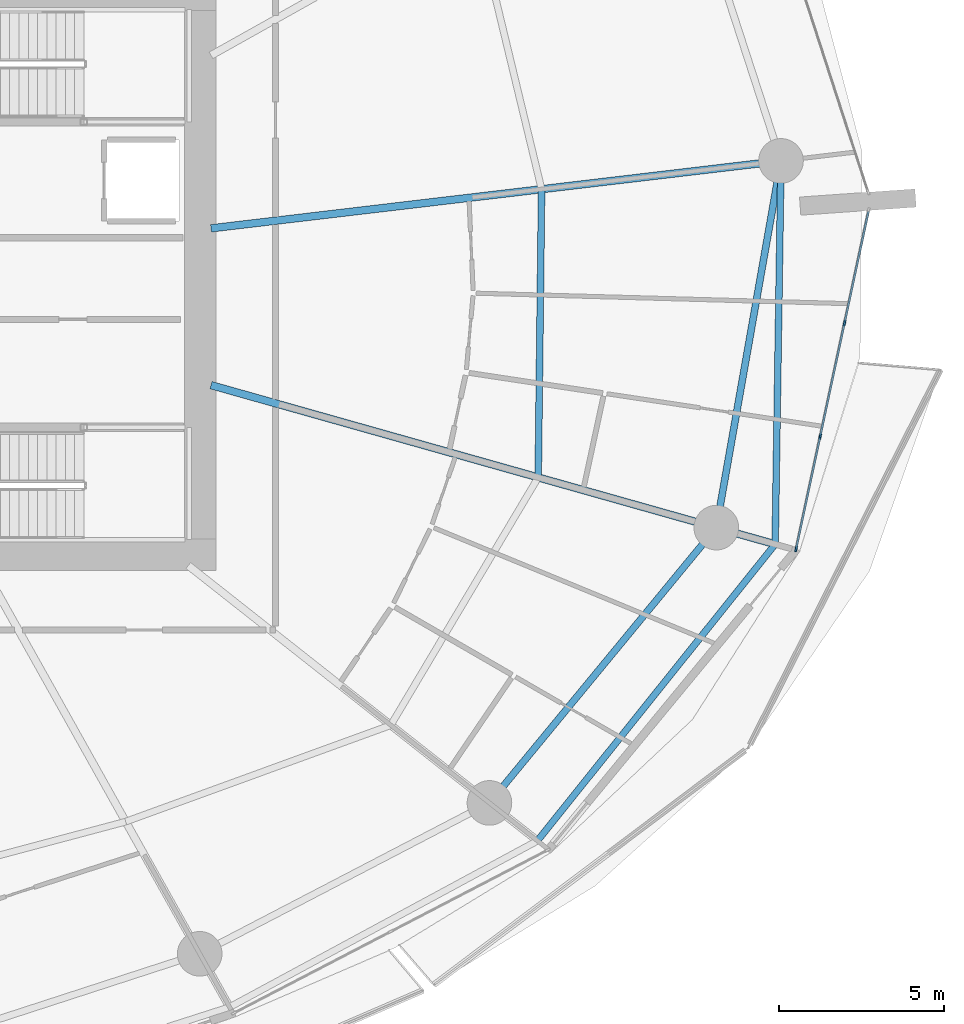
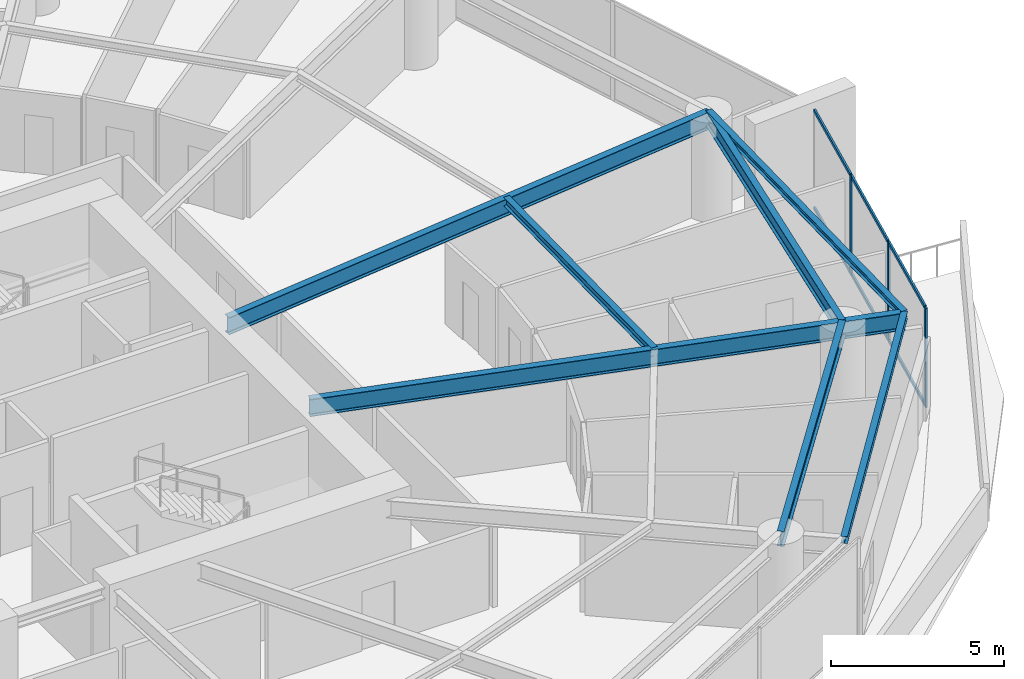
# One storey, part 11 of 31: 9 members, 7 beams, 1 element without a shape of its own.
"""IFC4 building model written with IfcOpenShell, lengths in metres."""

import ifcopenshell
import ifcopenshell.guid

model = None  # the IFC model being written
_history = None  # IfcOwnerHistory: only IFC2X3 demands one
_inside = {}  # id of a spatial element -> (the spatial element, [elements in it])
_under = {}  # id of a project, library or spatial element -> (it, [spatial elements below it])
_declared = {}  # id of a project -> (the project, [libraries it declares])
_typed = {}  # id of a type object -> (the type object, [elements of that type])
_made_of = {}  # id of a material, layer set ... -> (it, [elements and type objects made of it])


def new_model(schema):
    """Start an empty IFC model of exactly this schema.

    Asked for "IFC4X3", IfcOpenShell would pick the latest addendum, in which some entities
    have other attributes; the version numbers below select the first issue.
    IFC2X3 requires an IfcOwnerHistory on every rooted entity: one is made here for all.
    """
    global model, _history
    if schema == "IFC4X3":
        model = ifcopenshell.file(schema_version=(4, 3, 0, 0))
    else:
        model = ifcopenshell.file(schema=schema)
    _inside.clear()
    _under.clear()
    _declared.clear()
    _typed.clear()
    _made_of.clear()
    _history = None
    if model.schema == "IFC2X3":
        org = make("IfcOrganization", Name="unknown")
        user = make(
            "IfcPersonAndOrganization",
            ThePerson=make("IfcPerson", FamilyName="unknown"),
            TheOrganization=org,
        )
        app = make(
            "IfcApplication",
            ApplicationDeveloper=org,
            Version="unknown",
            ApplicationFullName="unknown",
            ApplicationIdentifier="unknown",
        )
        _history = make(
            "IfcOwnerHistory",
            OwningUser=user,
            OwningApplication=app,
            ChangeAction="ADDED",
            CreationDate=0,
        )
    return model


def make(cls, **values):
    """One entity of the class cls with the attributes given. An attribute that is None is left unset."""
    return model.create_entity(
        cls, **{name: value for name, value in values.items() if value is not None}
    )


def rooted(cls, **values):
    """An entity with a GlobalId (a new one), such as an element, a storey or a relation."""
    return make(cls, GlobalId=ifcopenshell.guid.new(), OwnerHistory=_history, **values)


def si_unit(unit_type, name, prefix=None):
    """IfcSIUnit, for example si_unit("LENGTHUNIT", "METRE", prefix="MILLI")."""
    return make("IfcSIUnit", UnitType=unit_type, Prefix=prefix, Name=name)


def assignment(units):
    """IfcUnitAssignment: the units of a project."""
    return None if units is None else make("IfcUnitAssignment", Units=units)


def point(xyz):
    """IfcCartesianPoint."""
    return None if xyz is None else make("IfcCartesianPoint", Coordinates=xyz)


def direction(xyz):
    """IfcDirection."""
    return None if xyz is None else make("IfcDirection", DirectionRatios=xyz)


def frame(location, z_axis=None, x_axis=None):
    """IfcAxis2Placement3D, a coordinate frame: its origin and axes. An axis left out is left unset."""
    return make(
        "IfcAxis2Placement3D",
        Location=point(location),
        Axis=direction(z_axis),
        RefDirection=direction(x_axis),
    )


def frame_2d(location, x_axis=None):
    """IfcAxis2Placement2D, a coordinate frame in the plane: its origin and x axis."""
    return make(
        "IfcAxis2Placement2D", Location=point(location), RefDirection=direction(x_axis)
    )


def origin():
    """The frame at (0, 0, 0) with its axes left unset."""
    return frame((0.0, 0.0, 0.0))


def origin_2d():
    """The frame at (0, 0) in the plane with its x axis left unset."""
    return frame_2d((0.0, 0.0))


def place(relative_to, where):
    """IfcLocalPlacement: puts the frame where relative to a parent placement (None: the world)."""
    return make(
        "IfcLocalPlacement", PlacementRelTo=relative_to, RelativePlacement=where
    )


def context(
    kind, dimensions, precision=None, world=None, true_north=None, identifier=None
):
    """IfcGeometricRepresentationContext, for example the 3D "Model" context."""
    return make(
        "IfcGeometricRepresentationContext",
        ContextIdentifier=identifier,
        ContextType=kind,
        CoordinateSpaceDimension=dimensions,
        Precision=precision,
        WorldCoordinateSystem=world,
        TrueNorth=true_north,
    )


def subcontext(parent, identifier, kind, view, scale=None):
    """IfcGeometricRepresentationSubContext, for example "Body" below "Model"."""
    return make(
        "IfcGeometricRepresentationSubContext",
        ContextIdentifier=identifier,
        ContextType=kind,
        ParentContext=parent,
        TargetScale=scale,
        TargetView=view,
    )


def project(units=None, contexts=None):
    """IfcProject with its units and contexts."""
    return rooted(
        "IfcProject",
        Name="project",
        RepresentationContexts=contexts,
        UnitsInContext=assignment(units),
    )


def spatial(cls, under=None, at=None, **own):
    """A site, building, storey or space (cls), placed at a placement, below another one or the project."""
    s = rooted(cls, ObjectPlacement=at, **own)
    if under is not None:
        _under.setdefault(under.id(), (under, []))[1].append(s)
    return s


def profile(cls, at=None, kind="AREA", **sizes):
    """A parametric profile (cls). Its sizes go by their IFC names, for example OverallWidth=200.0."""
    return make(cls, ProfileType=kind, Position=at, **sizes)


def rectangle(**sizes):
    """IfcRectangleProfileDef."""
    return profile("IfcRectangleProfileDef", **sizes)


def i_section(**sizes):
    """IfcIShapeProfileDef."""
    return profile("IfcIShapeProfileDef", **sizes)


def extrude(swept, where, along, depth):
    """IfcExtrudedAreaSolid: the profile swept, set in the frame where, extruded along a direction by depth."""
    return make(
        "IfcExtrudedAreaSolid",
        SweptArea=swept,
        Position=where,
        ExtrudedDirection=direction(along),
        Depth=depth,
    )


def shape(context_of_items, identifier, shape_type, items):
    """IfcShapeRepresentation: the items that make up one representation, for example the "Body"."""
    return make(
        "IfcShapeRepresentation",
        ContextOfItems=context_of_items,
        RepresentationIdentifier=identifier,
        RepresentationType=shape_type,
        Items=items,
    )


def material(Name=None, Category=None):
    """IfcMaterial."""
    return make("IfcMaterial", Name=Name, Category=Category)


def layer(
    of_material, thickness, ventilated=None, Name=None, Category=None, Priority=None
):
    """IfcMaterialLayer: one layer of a wall or slab, of a material (None: an air gap)."""
    return make(
        "IfcMaterialLayer",
        Material=of_material,
        LayerThickness=thickness,
        IsVentilated=ventilated,
        Name=Name,
        Category=Category,
        Priority=Priority,
    )


def layer_set(layers, Name=None):
    """IfcMaterialLayerSet."""
    return make("IfcMaterialLayerSet", MaterialLayers=layers, LayerSetName=Name)


def material_profile(
    of_material, cross_section, Name=None, Category=None, Priority=None
):
    """IfcMaterialProfile: a cross section and its material."""
    return make(
        "IfcMaterialProfile",
        Name=Name,
        Material=of_material,
        Profile=cross_section,
        Priority=Priority,
        Category=Category,
    )


def profile_set(profiles, Name=None, composite=None):
    """IfcMaterialProfileSet."""
    return make(
        "IfcMaterialProfileSet",
        Name=Name,
        MaterialProfiles=profiles,
        CompositeProfile=composite,
    )


def made_of(thing, what):
    """Note that an element or type object is made of a material, layer set ...; save() writes the relation."""
    if what is not None:
        _made_of.setdefault(what.id(), (what, []))[1].append(thing)
    return thing


def type_object(cls, material=None, **own):
    """A type object (cls), such as IfcWallType, which elements share."""
    return made_of(rooted(cls, **own), material)


def element(
    cls,
    number,
    at=None,
    inside=None,
    cuts=None,
    type_object=None,
    material=None,
    context=None,
    identifier="Body",
    shape_type=None,
    held_by="IfcProductDefinitionShape",
    body=None,
    shapes=None,
    **own,
):
    """One element of the class cls, such as IfcWall. Its Tag is "e" and its number.

    at: its placement. inside: the storey or other place that contains it. cuts: it is an
    opening in that element (IfcRelVoidsElement). A single representation is given by context,
    identifier, shape_type and body (its items); several are given by shapes. held_by: the class
    of the entity that holds the representations. save() writes the other relations.
    """
    e = rooted(cls, Tag="e%d" % number, ObjectPlacement=at, **own)
    if body is not None:
        shapes = [shape(context, identifier, shape_type, body)]
    if shapes is not None:
        e.Representation = make(held_by, Representations=shapes)
    if inside is not None:
        _inside.setdefault(inside.id(), (inside, []))[1].append(e)
    if cuts is not None:
        rooted(
            "IfcRelVoidsElement", RelatingBuildingElement=cuts, RelatedOpeningElement=e
        )
    if type_object is not None:
        _typed.setdefault(type_object.id(), (type_object, []))[1].append(e)
    return made_of(e, material)


def aggregate(whole, parts):
    """IfcRelAggregates: a whole, such as a stair, and the parts it consists of."""
    return rooted("IfcRelAggregates", RelatingObject=whole, RelatedObjects=parts)


def save(model, path):
    """Write the relations noted so far, then the file.

    IfcRelAggregates (storeys below a building ...), IfcRelContainedInSpatialStructure (elements
    in a storey), IfcRelDefinesByType, IfcRelAssociatesMaterial and IfcRelDeclares: one each for
    every whole, place, type object, material and project.
    """
    for whole, parts in _under.values():
        aggregate(whole, parts)
    for where, things in _inside.values():
        rooted(
            "IfcRelContainedInSpatialStructure",
            RelatedElements=things,
            RelatingStructure=where,
        )
    for kind, things in _typed.values():
        rooted("IfcRelDefinesByType", RelatedObjects=things, RelatingType=kind)
    for what, things in _made_of.values():
        rooted("IfcRelAssociatesMaterial", RelatedObjects=things, RelatingMaterial=what)
    for by, libraries in _declared.values():
        rooted("IfcRelDeclares", RelatingContext=by, RelatedDefinitions=libraries)
    model.write(path)


model = new_model("IFC4")

# Units and contexts
model_context = context("Model", 3, precision=1e-05, world=origin(), true_north=direction((0.0, 1.0)))
body_context = subcontext(model_context, "Body", "Model", "MODEL_VIEW")
ifc_project = project(units=[si_unit("LENGTHUNIT", "METRE"), si_unit("AREAUNIT", "SQUARE_METRE"), si_unit("VOLUMEUNIT", "CUBIC_METRE"), si_unit("PLANEANGLEUNIT", "RADIAN"), si_unit("MASSUNIT", "GRAM", prefix="KILO")], contexts=[model_context])

# Site, building, storey
site_placement = place(None, origin())
site = spatial("IfcSite", under=ifc_project, at=site_placement, CompositionType="ELEMENT")
building_placement = place(site_placement, origin())
building = spatial("IfcBuilding", under=site, at=building_placement, Name="Kazma Halo Residences", CompositionType="ELEMENT")
storey_placement = place(building_placement, frame((0.0, 0.0, 52.64990234375)))
storey = spatial("IfcBuildingStorey", under=building, at=storey_placement, Name="L12", CompositionType="ELEMENT", Elevation=52.64990234375)

# Beams
ifc_material_1 = material(Name="Steel S355", Category="steel")
ifc_material_profile_1 = material_profile(ifc_material_1, i_section(OverallWidth=0.201904296875, OverallDepth=0.2470703125, WebThickness=0.00732421875, FlangeThickness=0.010986328125, FilletRadius=0.011962890625, at=origin_2d()), Name="W250x49.1")
ifc_profile_set_1 = profile_set([ifc_material_profile_1], Name="Steel S355")
beam_type_1 = type_object("IfcBeamType", Name="BM-BAL-CANT", PredefinedType="BEAM", material=ifc_profile_set_1)
beam_1_placement = place(storey_placement, frame((69.728515625, 24.87060546875, 3.376708984375), z_axis=(0.625476617708, 0.780242911343, 0.0), x_axis=(-0.780242911343, 0.625476617708, 0.0)))
element("IfcBeam", 1, at=beam_1_placement, inside=storey, type_object=beam_type_1, Name="L12 wave-balcony tie beam 14", PredefinedType="BEAM", context=body_context, shape_type="SweptSolid", body=[
    extrude(i_section(OverallWidth=0.201904296875, OverallDepth=0.2470703125, WebThickness=0.00732421875, FlangeThickness=0.010986328125, FilletRadius=0.011962890625, at=origin_2d()), origin(), (0.0, 0.0, 1.0), 11.499755859375),
])
beam_2_placement = place(storey_placement, frame((76.92138671875, 33.84326171875, 3.376708984375), z_axis=(0.015213846033, 0.999884262747, 0.0), x_axis=(-0.999884262747, 0.015213846033, 0.0)))
element("IfcBeam", 2, at=beam_2_placement, inside=storey, type_object=beam_type_1, Name="L12 wave-balcony tie beam 15", PredefinedType="BEAM", context=body_context, shape_type="SweptSolid", body=[
    extrude(i_section(OverallWidth=0.201904296875, OverallDepth=0.2470703125, WebThickness=0.00732421875, FlangeThickness=0.010986328125, FilletRadius=0.011962890625, at=origin_2d()), origin(), (0.0, 0.0, 1.0), 11.602294921875),
])
ifc_material_profile_2 = material_profile(ifc_material_1, i_section(OverallWidth=0.22802734375, OverallDepth=0.60791015625, WebThickness=0.01123046875, FlangeThickness=0.017333984375, FilletRadius=0.01806640625, at=origin_2d()), Name="W610x113")
ifc_profile_set_2 = profile_set([ifc_material_profile_2], Name="Steel S355")
beam_type_2 = type_object("IfcBeamType", Name="BM-RAD-W610", PredefinedType="BEAM", material=ifc_profile_set_2)
beam_3_placement = place(storey_placement, frame((59.85009765625, 38.657958984375, 3.196044921875), z_axis=(0.962453825278, -0.271445453468, 0.0), x_axis=(0.271445453468, 0.962453825278, 0.0)))
element("IfcBeam", 3, at=beam_3_placement, inside=storey, type_object=beam_type_2, Name="L12 radial floor beam 15", PredefinedType="BEAM", context=body_context, shape_type="SweptSolid", body=[
    extrude(i_section(OverallWidth=0.22802734375, OverallDepth=0.60791015625, WebThickness=0.01123046875, FlangeThickness=0.017333984375, FilletRadius=0.01806640625, at=origin_2d()), origin(), (0.0, 0.0, 1.0), 17.7373046875),
])
beam_4_placement = place(storey_placement, frame((59.85009765625, 43.402587890625, 3.196044921875), z_axis=(0.993067839154, 0.117542617111, 0.0), x_axis=(-0.117542617111, 0.993067839154, 0.0)))
element("IfcBeam", 4, at=beam_4_placement, inside=storey, type_object=beam_type_2, Name="L12 radial floor beam 16", PredefinedType="BEAM", context=body_context, shape_type="SweptSolid", body=[
    extrude(i_section(OverallWidth=0.22802734375, OverallDepth=0.60791015625, WebThickness=0.01123046875, FlangeThickness=0.017333984375, FilletRadius=0.01806640625, at=origin_2d()), origin(), (0.0, 0.0, 1.0), 17.3681640625),
])
ifc_material_profile_3 = material_profile(ifc_material_1, i_section(OverallWidth=0.202880859375, OverallDepth=0.302978515625, WebThickness=0.007568359375, FlangeThickness=0.01318359375, FilletRadius=0.013916015625, at=origin_2d()), Name="W310x60")
ifc_profile_set_3 = profile_set([ifc_material_profile_3], Name="Steel S355")
beam_type_3 = type_object("IfcBeamType", Name="BM-SEC-W310A", PredefinedType="JOIST", material=ifc_profile_set_3)
beam_5_placement = place(storey_placement, frame((69.75146484375, 35.865478515625, 3.3486328125), z_axis=(0.011728659646, 0.999931216906, 0.0), x_axis=(-0.999931216906, 0.011728659646, 0.0)))
element("IfcBeam", 5, at=beam_5_placement, inside=storey, type_object=beam_type_3, Name="L12 circumferential floor joist 15", PredefinedType="JOIST", context=body_context, shape_type="SweptSolid", body=[
    extrude(i_section(OverallWidth=0.202880859375, OverallDepth=0.302978515625, WebThickness=0.007568359375, FlangeThickness=0.01318359375, FilletRadius=0.013916015625, at=origin_2d()), origin(), (0.0, 0.0, 1.0), 8.7216796875),
])
ifc_material_profile_4 = material_profile(ifc_material_1, i_section(OverallWidth=0.208984375, OverallDepth=0.532958984375, WebThickness=0.01025390625, FlangeThickness=0.015625, FilletRadius=0.01611328125, at=origin_2d()), Name="W530x92")
ifc_profile_set_4 = profile_set([ifc_material_profile_4], Name="Steel S355")
beam_type_4 = type_object("IfcBeamType", Name="BM-SPN-W530", PredefinedType="BEAM", material=ifc_profile_set_4)
beam_6_placement = place(storey_placement, frame((68.27587890625, 26.015869140625, 3.233642578125), z_axis=(0.636001336663, 0.771687954916, 0.0), x_axis=(-0.771687954916, 0.636001336663, 0.0)))
element("IfcBeam", 6, at=beam_6_placement, inside=storey, type_object=beam_type_4, Name="L12 perimeter ring beam 14", PredefinedType="BEAM", context=body_context, shape_type="SweptSolid", body=[
    extrude(i_section(OverallWidth=0.208984375, OverallDepth=0.532958984375, WebThickness=0.01025390625, FlangeThickness=0.015625, FilletRadius=0.01611328125, at=origin_2d()), origin(), (0.0, 0.0, 1.0), 10.7939453125),
])
beam_7_placement = place(storey_placement, frame((75.140869140625, 34.345458984375, 3.233642578125), z_axis=(0.173651864005, 0.984807103004, 0.0), x_axis=(-0.984807103004, 0.173651864005, 0.0)))
element("IfcBeam", 7, at=beam_7_placement, inside=storey, type_object=beam_type_4, Name="L12 perimeter ring beam 15", PredefinedType="BEAM", context=body_context, shape_type="SweptSolid", body=[
    extrude(i_section(OverallWidth=0.208984375, OverallDepth=0.532958984375, WebThickness=0.01025390625, FlangeThickness=0.015625, FilletRadius=0.01611328125, at=origin_2d()), origin(), (0.0, 0.0, 1.0), 11.269775390625),
])

# Curtain wall, members
ifc_material_2 = material(Name="Aluminium AW-6063 T6 and Triple-Silver Low-E Glass", Category="aluminium")
ifc_layer = layer(ifc_material_2, 0.159912109375)
ifc_layer_set = layer_set([ifc_layer], Name="Aluminium AW-6063 T6 and Triple-Silver Low-E Glass")
curtain_wall_type = type_object("IfcCurtainWallType", Name="CW-SYS-2", PredefinedType="NOTDEFINED", material=ifc_layer_set)
curtain_wall_placement = place(storey_placement, origin())
curtain_wall = element("IfcCurtainWall", 8, at=curtain_wall_placement, inside=storey, type_object=curtain_wall_type, Name="L12 unitised curtain wall B15", PredefinedType="NOTDEFINED")
ifc_material_3 = material(Name="Aluminium AW-6063 T6", Category="aluminium")
ifc_material_profile_5 = material_profile(ifc_material_3, rectangle(XDim=0.06005859375, YDim=0.159912109375, at=origin_2d()), Name="CWM-60x160")
ifc_profile_set_5 = profile_set([ifc_material_profile_5], Name="Aluminium AW-6063 T6")
member_type_1 = type_object("IfcMemberType", Name="CW-SYS-2-MUL", PredefinedType="MULLION", material=ifc_profile_set_5)
member_1_placement = place(storey_placement, frame((77.552978515625, 33.6962890625, 0.0), z_axis=(0.0, 0.0, 1.0), x_axis=(-0.977779215096, 0.209637321406, 0.0)))
member_1 = element("IfcMember", 9, at=member_1_placement, type_object=member_type_1, Name="CWS-2 mullion 1", PredefinedType="MULLION", context=body_context, shape_type="SweptSolid", body=[
    extrude(rectangle(XDim=0.06005859375, YDim=0.159912109375, at=origin_2d()), origin(), (0.0, 0.0, 1.0), 3.5),
])
member_2_placement = place(storey_placement, frame((78.282958984375, 37.101318359375, 0.0), z_axis=(0.0, 0.0, 1.0), x_axis=(-0.977779215096, 0.209637321406, 0.0)))
member_2 = element("IfcMember", 10, at=member_2_placement, type_object=member_type_1, Name="CWS-2 mullion 2", PredefinedType="MULLION", context=body_context, shape_type="SweptSolid", body=[
    extrude(rectangle(XDim=0.06005859375, YDim=0.159912109375, at=origin_2d()), origin(), (0.0, 0.0, 1.0), 3.5),
])
member_3_placement = place(storey_placement, frame((79.019287109375, 40.53564453125, 0.0), z_axis=(0.0, 0.0, 1.0), x_axis=(-0.977779215096, 0.209637321406, 0.0)))
member_3 = element("IfcMember", 11, at=member_3_placement, type_object=member_type_1, Name="CWS-2 mullion 3", PredefinedType="MULLION", context=body_context, shape_type="SweptSolid", body=[
    extrude(rectangle(XDim=0.06005859375, YDim=0.159912109375, at=origin_2d()), origin(), (0.0, 0.0, 1.0), 3.5),
])
ifc_material_profile_6 = material_profile(ifc_material_3, rectangle(XDim=0.06005859375, YDim=0.1201171875, at=origin_2d()), Name="CWT-60x120")
ifc_profile_set_6 = profile_set([ifc_material_profile_6], Name="Aluminium AW-6063 T6")
member_type_2 = type_object("IfcMemberType", Name="CW-SYS-2-TRN", PredefinedType="USERDEFINED", material=ifc_profile_set_6)
member_4_placement = place(storey_placement, frame((77.559326171875, 33.7255859375, 0.030029296875), z_axis=(0.209650877007, 0.977776308657, 0.0), x_axis=(-0.977776308657, 0.209650877007, 0.0)))
member_4 = element("IfcMember", 12, at=member_4_placement, type_object=member_type_2, Name="CWS-2 transom 1.1", ObjectType="TRANSOM", PredefinedType="USERDEFINED", context=body_context, shape_type="SweptSolid", body=[
    extrude(rectangle(XDim=0.06005859375, YDim=0.1201171875, at=origin_2d()), origin(), (0.0, 0.0, 1.0), 3.422607421875),
])
member_5_placement = place(storey_placement, frame((77.559326171875, 33.7255859375, 3.47021484375), z_axis=(0.209650877007, 0.977776308657, 0.0), x_axis=(-0.977776308657, 0.209650877007, 0.0)))
member_5 = element("IfcMember", 13, at=member_5_placement, type_object=member_type_2, Name="CWS-2 transom 1.2", ObjectType="TRANSOM", PredefinedType="USERDEFINED", context=body_context, shape_type="SweptSolid", body=[
    extrude(rectangle(XDim=0.06005859375, YDim=0.1201171875, at=origin_2d()), origin(), (0.0, 0.0, 1.0), 3.422607421875),
])
member_6_placement = place(storey_placement, frame((78.289306640625, 37.130615234375, 0.030029296875), z_axis=(0.209669136217, 0.977772393412, 0.0), x_axis=(-0.977772393412, 0.209669136217, 0.0)))
member_6 = element("IfcMember", 14, at=member_6_placement, type_object=member_type_2, Name="CWS-2 transom 2.1", ObjectType="TRANSOM", PredefinedType="USERDEFINED", context=body_context, shape_type="SweptSolid", body=[
    extrude(rectangle(XDim=0.06005859375, YDim=0.1201171875, at=origin_2d()), origin(), (0.0, 0.0, 1.0), 3.452392578125),
])
member_7_placement = place(storey_placement, frame((78.289306640625, 37.130615234375, 3.47021484375), z_axis=(0.209669136217, 0.977772393412, 0.0), x_axis=(-0.977772393412, 0.209669136217, 0.0)))
member_7 = element("IfcMember", 15, at=member_7_placement, type_object=member_type_2, Name="CWS-2 transom 2.2", ObjectType="TRANSOM", PredefinedType="USERDEFINED", context=body_context, shape_type="SweptSolid", body=[
    extrude(rectangle(XDim=0.06005859375, YDim=0.1201171875, at=origin_2d()), origin(), (0.0, 0.0, 1.0), 3.452392578125),
])
member_8_placement = place(storey_placement, frame((79.025634765625, 40.565185546875, 0.030029296875), z_axis=(0.209665500897, 0.977773172946, 0.0), x_axis=(-0.977773172946, 0.209665500897, 0.0)))
member_8 = element("IfcMember", 16, at=member_8_placement, type_object=member_type_2, Name="CWS-2 transom 3.1", ObjectType="TRANSOM", PredefinedType="USERDEFINED", context=body_context, shape_type="SweptSolid", body=[
    extrude(rectangle(XDim=0.06005859375, YDim=0.1201171875, at=origin_2d()), origin(), (0.0, 0.0, 1.0), 3.42236328125),
])
member_9_placement = place(storey_placement, frame((79.025634765625, 40.565185546875, 3.47021484375), z_axis=(0.209665500897, 0.977773172946, 0.0), x_axis=(-0.977773172946, 0.209665500897, 0.0)))
member_9 = element("IfcMember", 17, at=member_9_placement, type_object=member_type_2, Name="CWS-2 transom 3.2", ObjectType="TRANSOM", PredefinedType="USERDEFINED", context=body_context, shape_type="SweptSolid", body=[
    extrude(rectangle(XDim=0.06005859375, YDim=0.1201171875, at=origin_2d()), origin(), (0.0, 0.0, 1.0), 3.42236328125),
])
aggregate(curtain_wall, [member_1, member_2, member_3, member_4, member_5, member_6, member_7, member_8, member_9])

save(model, "model.ifc")
